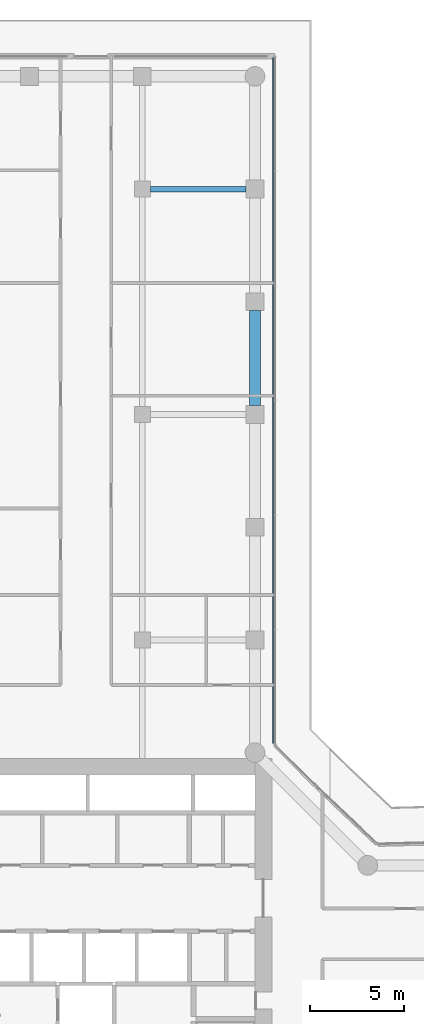
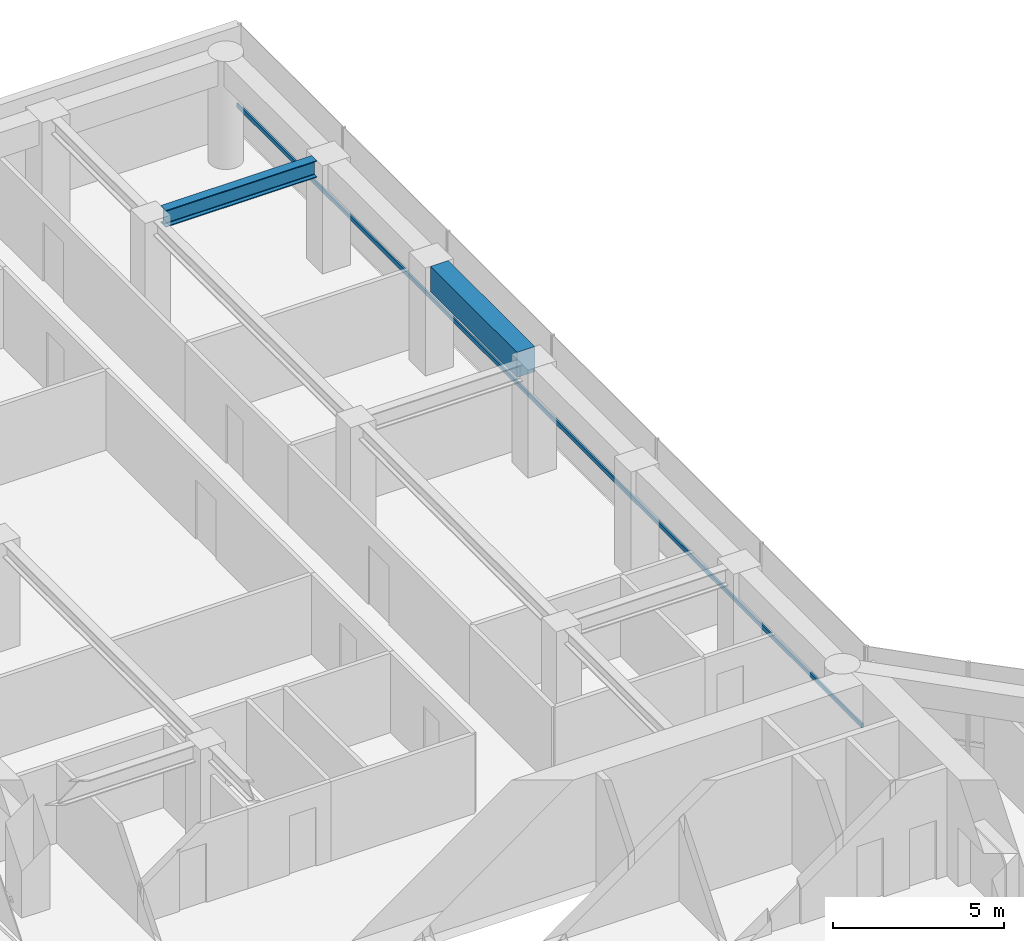
# One storey, part 18 of 29: 2 beams, 1 member, 1 element without a shape of its own.
"""IFC4 building model written with IfcOpenShell, lengths in metres."""

from ifc_helpers import new_model, si_unit, direction, frame, origin, origin_2d, place, context, subcontext, project, spatial, rectangle, i_section, extrude, material, layer, layer_set, material_profile, profile_set, type_object, element, aggregate, save


model = new_model("IFC4")

# Units and contexts
model_context = context("Model", 3, precision=1e-05, world=origin(), true_north=direction((0.0, 1.0)))
body_context = subcontext(model_context, "Body", "Model", "MODEL_VIEW")
ifc_project = project(units=[si_unit("LENGTHUNIT", "METRE"), si_unit("AREAUNIT", "SQUARE_METRE"), si_unit("VOLUMEUNIT", "CUBIC_METRE"), si_unit("PLANEANGLEUNIT", "RADIAN"), si_unit("MASSUNIT", "GRAM", prefix="KILO")], contexts=[model_context])

# Site, building, storey
site_placement = place(None, origin())
site = spatial("IfcSite", under=ifc_project, at=site_placement, CompositionType="ELEMENT")
building_placement = place(site_placement, origin())
building = spatial("IfcBuilding", under=site, at=building_placement, Name="Welwitschia Terrace Campus", CompositionType="ELEMENT")
storey_placement = place(building_placement, frame((0.0, 0.0, 58.39990234375)))
storey = spatial("IfcBuildingStorey", under=building, at=storey_placement, Name="L13", CompositionType="ELEMENT", Elevation=58.39990234375)

# Beams
ifc_material_1 = material(Name="Steel S355", Category="steel")
ifc_material_profile_1 = material_profile(ifc_material_1, i_section(OverallWidth=0.300048828125, OverallDepth=0.60009765625, WebThickness=0.015380859375, FlangeThickness=0.030029296875, FilletRadius=0.027099609375, at=origin_2d()))
ifc_profile_set_1 = profile_set([ifc_material_profile_1], Name="Steel S355")
beam_type_1 = type_object("IfcBeamType", Name="Primary beam HE 600 B", PredefinedType="BEAM", material=ifc_profile_set_1)
beam_1_placement = place(storey_placement, frame((23.5244140625, 56.0, 3.550048828125), z_axis=(-1.0, 0.0, 0.0), x_axis=(0.0, -1.0, 0.0)))
element("IfcBeam", 1, at=beam_1_placement, inside=storey, type_object=beam_type_1, Name="Primary beam PB2", PredefinedType="BEAM", context=body_context, shape_type="SweptSolid", body=[
    extrude(i_section(OverallWidth=0.300048828125, OverallDepth=0.60009765625, WebThickness=0.015380859375, FlangeThickness=0.030029296875, FilletRadius=0.027099609375, at=origin_2d()), origin(), (0.0, 0.0, 1.0), 5.098876953125),
])
ifc_material_2 = material(Name="Concrete C60/75", Category="concrete")
ifc_material_profile_2 = material_profile(ifc_material_2, rectangle(XDim=0.60009765625, YDim=0.89990234375, at=origin_2d()))
ifc_profile_set_2 = profile_set([ifc_material_profile_2], Name="Concrete C60/75")
beam_type_2 = type_object("IfcBeamType", Name="Ring spandrel 600x900", PredefinedType="SPANDREL", material=ifc_profile_set_2)
beam_2_placement = place(storey_placement, frame((24.0, 44.4755859375, 3.400146484375), z_axis=(0.0, 1.0, 0.0), x_axis=(-1.0, 0.0, 0.0)))
element("IfcBeam", 2, at=beam_2_placement, inside=storey, type_object=beam_type_2, Name="Spandrel SP2", PredefinedType="SPANDREL", context=body_context, shape_type="SweptSolid", body=[
    extrude(rectangle(XDim=0.60009765625, YDim=0.89990234375, at=origin_2d()), origin(), (0.0, 0.0, 1.0), 5.048828125),
])

# Curtain wall, member
ifc_material_3 = material(Name="Bronze anodised aluminium", Category="aluminium")
ifc_layer = layer(ifc_material_3, 0.1201171875)
ifc_layer_set = layer_set([ifc_layer], Name="Bronze anodised aluminium")
curtain_wall_type = type_object("IfcCurtainWallType", Name="Curtain wall CW2 tower 6000", PredefinedType="NOTDEFINED", material=ifc_layer_set)
curtain_wall_placement = place(storey_placement, origin())
curtain_wall = element("IfcCurtainWall", 3, at=curtain_wall_placement, inside=storey, type_object=curtain_wall_type, Name="CW L13.10.0", PredefinedType="NOTDEFINED")
ifc_material_4 = material(Name="Bronze anodised aluminium", Category="aluminium")
ifc_material_profile_3 = material_profile(ifc_material_4, rectangle(XDim=0.06005859375, YDim=0.14990234375, at=origin_2d()))
ifc_profile_set_3 = profile_set([ifc_material_profile_3], Name="Bronze anodised aluminium")
member_type = type_object("IfcMemberType", Name="Transom 60x150", PredefinedType="USERDEFINED", material=ifc_profile_set_3)
member_placement = place(storey_placement, frame((24.968017578125, 26.498291015625, 1.0), z_axis=(0.0, 1.0, 0.0), x_axis=(-1.0, 0.0, 0.0)))
member = element("IfcMember", 4, at=member_placement, type_object=member_type, Name="Transom L13.10.0", ObjectType="TRANSOM", PredefinedType="USERDEFINED", context=body_context, shape_type="SweptSolid", body=[
    extrude(rectangle(XDim=0.06005859375, YDim=0.14990234375, at=origin_2d()), origin(), (0.0, 0.0, 1.0), 36.499755859375),
])
aggregate(curtain_wall, [member])

save(model, "model.ifc")
